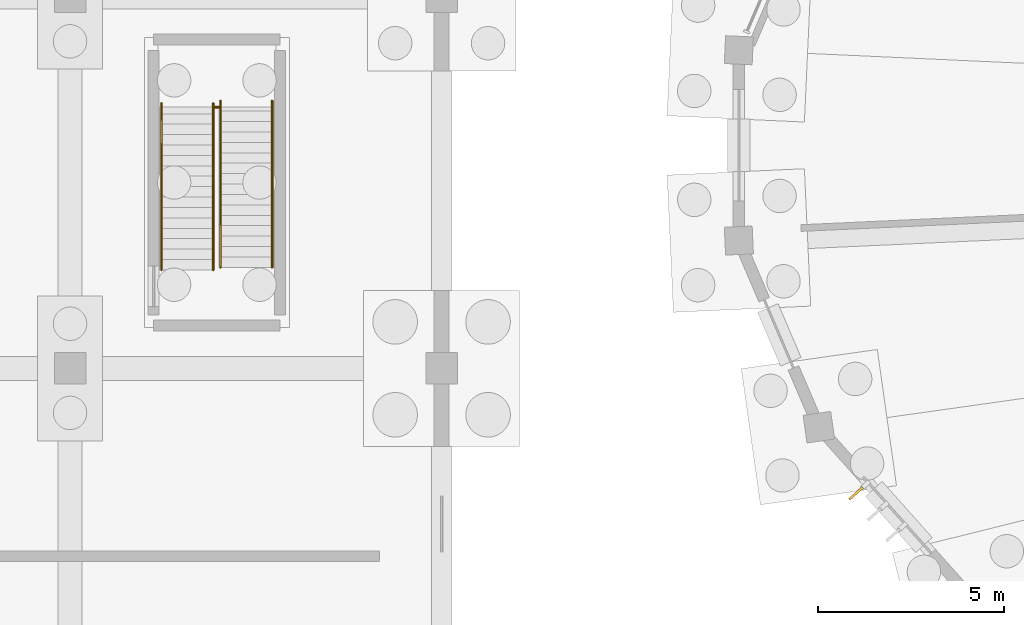
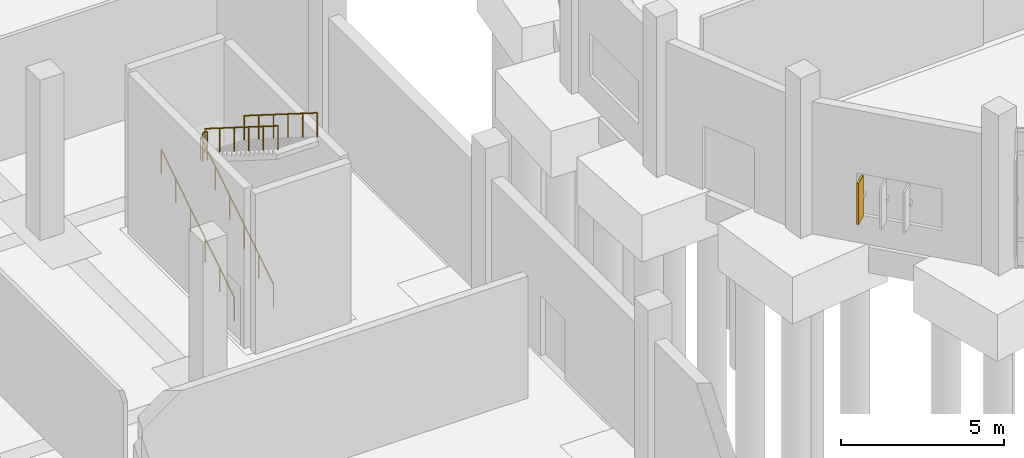
# One storey, part 117 of 140: 5 railings, 1 shading device.
"""IFC4 building model written with IfcOpenShell, lengths in metres."""

from ifc_helpers import new_model, si_unit, direction, frame, origin, origin_2d, place, context, subcontext, project, spatial, rectangle, circle, extrude, material, layer, layer_set, type_object, element, save


model = new_model("IFC4")

# Units and contexts
model_context = context("Model", 3, precision=1e-05, world=origin(), true_north=direction((0.0, 1.0)))
body_context = subcontext(model_context, "Body", "Model", "MODEL_VIEW")
ifc_project = project(units=[si_unit("LENGTHUNIT", "METRE"), si_unit("AREAUNIT", "SQUARE_METRE"), si_unit("VOLUMEUNIT", "CUBIC_METRE"), si_unit("PLANEANGLEUNIT", "RADIAN"), si_unit("MASSUNIT", "GRAM", prefix="KILO")], contexts=[model_context])

# Site, building, storey
site_placement = place(None, origin())
site = spatial("IfcSite", under=ifc_project, at=site_placement, CompositionType="ELEMENT")
building_placement = place(site_placement, origin())
building = spatial("IfcBuilding", under=site, at=building_placement, Name="Corvandel Quay Wholesale Market", CompositionType="ELEMENT")
storey_placement = place(building_placement, origin())
storey = spatial("IfcBuildingStorey", under=building, at=storey_placement, Name="L00", CompositionType="ELEMENT", Elevation=0.0)

# Railings
ifc_material_1 = material(Name="Painted galvanised tubular steel", Category="steel")
ifc_layer_1 = layer(ifc_material_1, 0.054931640625)
ifc_layer_set_1 = layer_set([ifc_layer_1], Name="Painted galvanised tubular steel")
railing_type_1 = type_object("IfcRailingType", Name="Stairwell Inner Guard Railing GR02 1100mm", PredefinedType="GUARDRAIL", material=ifc_layer_set_1)
railing_placement = place(storey_placement, frame((43.8701171875, 117.030029296875, 3.0)))
element("IfcRailing", 1, at=railing_placement, inside=storey, type_object=railing_type_1, Name="Stair Landing Well Guard 0140", PredefinedType="GUARDRAIL", context=body_context, shape_type="SweptSolid", body=[
    extrude(circle(Radius=0.02392578125, at=origin_2d()), frame((0.0, 0.0, 1.076171875), z_axis=(1.0, 0.0, 0.0), x_axis=(0.0, 1.0, 0.0)), (0.0, 0.0, 1.0), 0.159912109375),
    extrude(circle(Radius=0.02099609375, at=origin_2d()), origin(), (0.0, 0.0, 1.0), 1.052001953125),
    extrude(circle(Radius=0.02099609375, at=origin_2d()), frame((0.159912109375, 0.0, 0.0)), (0.0, 0.0, 1.0), 1.052001953125),
])
ifc_material_2 = material(Name="Brushed austenitic stainless steel Grade 316", Category="steel")
ifc_layer_2 = layer(ifc_material_2, 0.048095703125)
ifc_layer_set_2 = layer_set([ifc_layer_2], Name="Brushed austenitic stainless steel Grade 316")
railing_type_2 = type_object("IfcRailingType", Name="Tubular Stainless Stair Handrail HR01 915mm", PredefinedType="HANDRAIL", material=ifc_layer_set_2)
for number, where, name in (
    (2, (42.4599609375, 112.64990234375, 0.176513671875), "Stair Handrail 0136"),
    (3, (43.85009765625, 112.64990234375, 0.176513671875), "Stair Handrail 0137"),
):
    element("IfcRailing", number, at=place(storey_placement, frame(where)), inside=storey, type_object=railing_type_2, Name=name, PredefinedType="HANDRAIL", context=body_context, shape_type="SweptSolid", body=[
        extrude(circle(Radius=0.02392578125, at=origin_2d()), frame((0.0, 0.0, 0.89111328125), z_axis=(0.0, 0.845997938375, 0.533186166611), x_axis=(-1.0, 0.0, 0.0)), (0.0, 0.0, 1.0), 5.29541015625),
        extrude(circle(Radius=0.02099609375, at=origin_2d()), origin(), (0.0, 0.0, 1.0), 0.866943359375),
        extrude(circle(Radius=0.02099609375, at=origin_2d()), frame((0.0, 0.89599609375, 0.564697265625)), (0.0, 0.0, 1.0), 0.866943359375),
        extrude(circle(Radius=0.02099609375, at=origin_2d()), frame((0.0, 1.7919921875, 1.12939453125)), (0.0, 0.0, 1.0), 0.866943359375),
        extrude(circle(Radius=0.02099609375, at=origin_2d()), frame((0.0, 2.68798828125, 1.694091796875)), (0.0, 0.0, 1.0), 0.866943359375),
        extrude(circle(Radius=0.02099609375, at=origin_2d()), frame((0.0, 3.583984375, 2.2587890625)), (0.0, 0.0, 1.0), 0.866943359375),
        extrude(circle(Radius=0.02099609375, at=origin_2d()), frame((0.0, 4.47998046875, 2.823486328125)), (0.0, 0.0, 1.0), 0.866943359375),
    ])
for number, where, name in (
    (4, (44.050048828125, 117.199951171875, 3.176513671875), "Stair Handrail 0138"),
    (5, (45.43994140625, 117.199951171875, 3.176513671875), "Stair Handrail 0139"),
):
    element("IfcRailing", number, at=place(storey_placement, frame(where)), inside=storey, type_object=railing_type_2, Name=name, PredefinedType="HANDRAIL", context=body_context, shape_type="SweptSolid", body=[
        extrude(circle(Radius=0.02392578125, at=origin_2d()), frame((0.0, 0.0, 0.89111328125), z_axis=(0.0, -0.845997938375, 0.533186166611), x_axis=(1.0, 0.0, 0.0)), (0.0, 0.0, 1.0), 5.29541015625),
        extrude(circle(Radius=0.02099609375, at=origin_2d()), origin(), (0.0, 0.0, 1.0), 0.866943359375),
        extrude(circle(Radius=0.02099609375, at=origin_2d()), frame((0.0, -0.89599609375, 0.564697265625)), (0.0, 0.0, 1.0), 0.866943359375),
        extrude(circle(Radius=0.02099609375, at=origin_2d()), frame((0.0, -1.7919921875, 1.12939453125)), (0.0, 0.0, 1.0), 0.866943359375),
        extrude(circle(Radius=0.02099609375, at=origin_2d()), frame((0.0, -2.68798828125, 1.694091796875)), (0.0, 0.0, 1.0), 0.866943359375),
        extrude(circle(Radius=0.02099609375, at=origin_2d()), frame((0.0, -3.583984375, 2.2587890625)), (0.0, 0.0, 1.0), 0.866943359375),
        extrude(circle(Radius=0.02099609375, at=origin_2d()), frame((0.0, -4.47998046875, 2.823486328125)), (0.0, 0.0, 1.0), 0.866943359375),
    ])

# Shading device
ifc_material_3 = material(Name="Bronze anodised extruded aluminium 6063-T6", Category="aluminium")
shading_device_type = type_object("IfcShadingDeviceType", Name="Vertical Anodised Bronze Solar Fin FN01 480mm", PredefinedType="JALOUSIE", material=ifc_material_3)
shading_device_placement = place(storey_placement, frame((61.151611328125, 106.63427734375, 1.0498046875), z_axis=(0.0, 0.0, 1.0), x_axis=(0.746289766155, 0.665621202286, 0.0)))
element("IfcShadingDevice", 6, at=shading_device_placement, inside=storey, type_object=shading_device_type, Name="Solar Fin 0278", PredefinedType="JALOUSIE", context=body_context, shape_type="SweptSolid", body=[
    extrude(rectangle(XDim=0.47998046875, YDim=0.06494140625, at=origin_2d()), origin(), (0.0, 0.0, 1.0), 1.550048828125),
])

save(model, "model.ifc")
